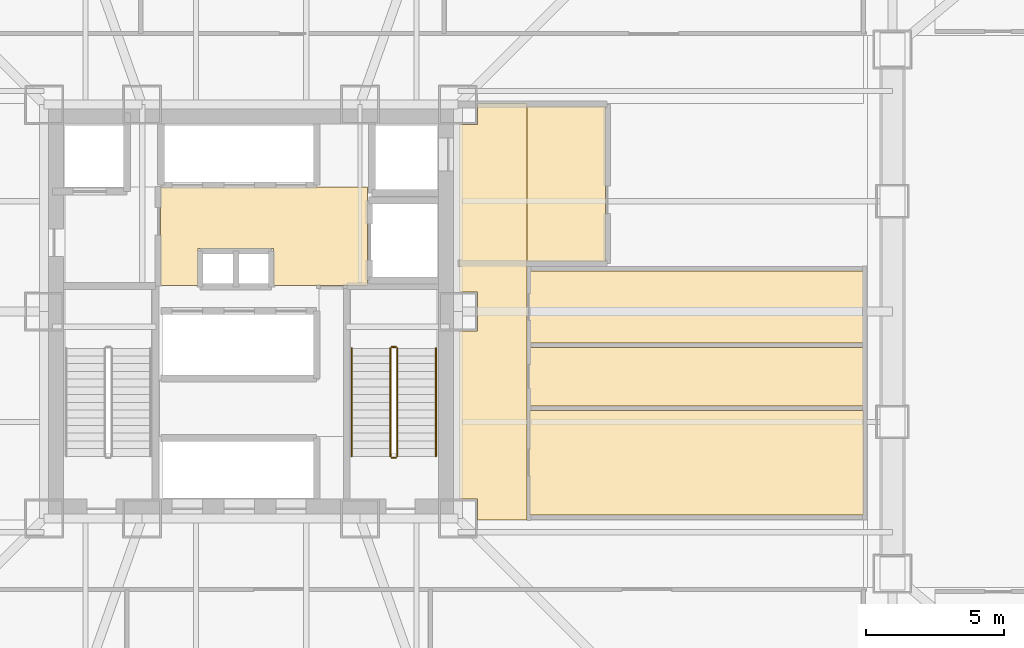
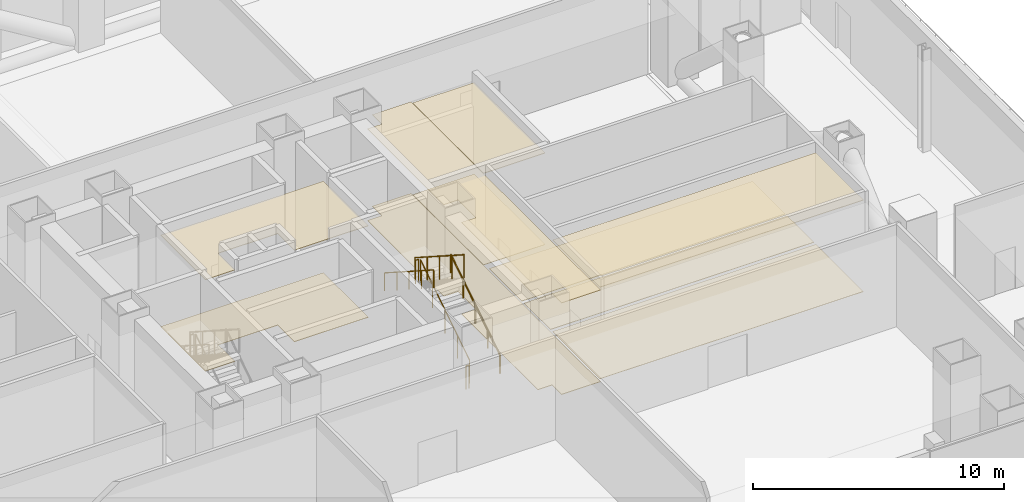
# One storey, part 20 of 21: 10 coverings, 6 railings.
"""IFC4 building model written with IfcOpenShell, lengths in metres."""

from ifc_helpers import new_model, si_unit, direction, frame, origin, origin_2d, place, context, subcontext, project, spatial, polyline, circle, outline, extrude, material, layer, layer_set, type_object, element, save


model = new_model("IFC4")

# Units and contexts
model_context = context("Model", 3, precision=1e-05, world=origin(), true_north=direction((0.0, 1.0)))
body_context = subcontext(model_context, "Body", "Model", "MODEL_VIEW")
ifc_project = project(units=[si_unit("LENGTHUNIT", "METRE"), si_unit("AREAUNIT", "SQUARE_METRE"), si_unit("VOLUMEUNIT", "CUBIC_METRE"), si_unit("PLANEANGLEUNIT", "RADIAN"), si_unit("MASSUNIT", "GRAM", prefix="KILO")], contexts=[model_context])

# Site, building, storey
site_placement = place(None, origin())
site = spatial("IfcSite", under=ifc_project, at=site_placement, CompositionType="ELEMENT")
building_placement = place(site_placement, origin())
building = spatial("IfcBuilding", under=site, at=building_placement, Name="Trevonay Congress Spire", CompositionType="ELEMENT")
storey_placement = place(building_placement, frame((0.0, 0.0, 21.60009765625)))
storey = spatial("IfcBuildingStorey", under=building, at=storey_placement, Name="L04", CompositionType="ELEMENT", Elevation=21.60009765625)

# Coverings
ifc_material_1 = material(Name="Acoustic Mineral Fibre Board", Category="gypsum")
ifc_layer_1 = layer(ifc_material_1, 0.02490234375, Name="Acoustic Mineral Fibre Board")
ifc_layer_set_1 = layer_set([ifc_layer_1], Name="Acoustic Mineral Fibre Board")
covering_type_1 = type_object("IfcCoveringType", Name="COV-CEIL-ACOUSTIC", PredefinedType="CEILING", material=ifc_layer_set_1)
covering_1_placement = place(storey_placement, frame((0.0, 0.0, 4.449951171875)))
element("IfcCovering", 1, at=covering_1_placement, inside=storey, type_object=covering_type_1, Name="L04 Central and High-Rise Passenger Lift Lobby acoustic suspended ceiling", PredefinedType="CEILING", context=body_context, shape_type="SweptSolid", body=[
    extrude(outline(polyline([(-3.280029296875, 0.949951171875), (-1.919921875, 0.949951171875), (-1.919921875, 2.280029296875), (0.820068359375, 2.280029296875), (0.820068359375, 0.949951171875), (4.219970703125, 0.949951171875), (4.219970703125, 4.52001953125), (-3.280029296875, 4.52001953125), (-3.280029296875, 0.949951171875)])), origin(), (0.0, 0.0, 1.0), 0.02490234375),
])
covering_2_placement = place(storey_placement, frame((0.0, 0.0, 4.449951171875)))
element("IfcCovering", 2, at=covering_2_placement, inside=storey, type_object=covering_type_1, Name="L04 L04 Grand Concourse East acoustic suspended ceiling", PredefinedType="CEILING", context=body_context, shape_type="SweptSolid", body=[
    extrude(outline(polyline([(10.0, -7.550048828125), (8.2099609375, -7.550048828125), (8.2099609375, -6.7900390625), (7.550048828125, -6.7900390625), (7.550048828125, -0.7099609375), (8.2099609375, -0.7099609375), (8.2099609375, 0.7099609375), (7.550048828125, 0.7099609375), (7.550048828125, 6.7900390625), (8.2099609375, 6.7900390625), (8.2099609375, 7.550048828125), (10.0, 7.550048828125), (10.0, -7.550048828125)])), origin(), (0.0, 0.0, 1.0), 0.02490234375),
])
covering_3_placement = place(storey_placement, frame((0.0, 0.0, 4.449951171875)))
element("IfcCovering", 3, at=covering_3_placement, inside=storey, type_object=covering_type_1, Name="L04 Firefighting Lift Lobby East acoustic suspended ceiling", PredefinedType="CEILING", context=body_context, shape_type="SweptSolid", body=[
    extrude(outline(polyline([(12.85009765625, 1.800048828125), (10.010009765625, 1.800048828125), (10.010009765625, 7.449951171875), (12.85009765625, 7.449951171875), (12.85009765625, 1.800048828125)])), origin(), (0.0, 0.0, 1.0), 0.02490234375),
])
covering_4_placement = place(storey_placement, frame((0.0, 0.0, 4.449951171875)))
element("IfcCovering", 4, at=covering_4_placement, inside=storey, type_object=covering_type_1, Name="L04 Podium Terrace Garden Lounge acoustic suspended ceiling", PredefinedType="CEILING", context=body_context, shape_type="SweptSolid", body=[
    extrude(outline(polyline([(10.080078125, -7.3701171875), (22.199951171875, -7.3701171875), (22.199951171875, -3.580078125), (10.080078125, -3.580078125), (10.080078125, -7.3701171875)])), origin(), (0.0, 0.0, 1.0), 0.02490234375),
])
ifc_material_2 = material(Name="Polished Granite Floor Tile", Category="masonry")
ifc_layer_2 = layer(ifc_material_2, 0.02001953125, Name="Polished Granite Floor Tile")
ifc_layer_set_2 = layer_set([ifc_layer_2], Name="Polished Granite Floor Tile")
covering_type_2 = type_object("IfcCoveringType", Name="COV-FLOOR-STONE", PredefinedType="FLOORING", material=ifc_layer_set_2)
covering_5_placement = place(storey_placement, origin())
element("IfcCovering", 5, at=covering_5_placement, inside=storey, type_object=covering_type_2, Name="L04 Central and High-Rise Passenger Lift Lobby floor finish", PredefinedType="FLOORING", context=body_context, shape_type="SweptSolid", body=[
    extrude(outline(polyline([(-3.280029296875, 0.949951171875), (-1.919921875, 0.949951171875), (-1.919921875, 2.280029296875), (0.820068359375, 2.280029296875), (0.820068359375, 0.949951171875), (4.219970703125, 0.949951171875), (4.219970703125, 4.52001953125), (-3.280029296875, 4.52001953125), (-3.280029296875, 0.949951171875)])), origin(), (0.0, 0.0, 1.0), 0.02001953125),
])
covering_6_placement = place(storey_placement, origin())
element("IfcCovering", 6, at=covering_6_placement, inside=storey, type_object=covering_type_2, Name="L04 L04 Grand Concourse East floor finish", PredefinedType="FLOORING", context=body_context, shape_type="SweptSolid", body=[
    extrude(outline(polyline([(10.0, -7.550048828125), (8.2099609375, -7.550048828125), (8.2099609375, -6.7900390625), (7.550048828125, -6.7900390625), (7.550048828125, -0.7099609375), (8.2099609375, -0.7099609375), (8.2099609375, 0.7099609375), (7.550048828125, 0.7099609375), (7.550048828125, 6.7900390625), (8.2099609375, 6.7900390625), (8.2099609375, 7.550048828125), (10.0, 7.550048828125), (10.0, -7.550048828125)])), origin(), (0.0, 0.0, 1.0), 0.02001953125),
])
covering_7_placement = place(storey_placement, origin())
element("IfcCovering", 7, at=covering_7_placement, inside=storey, type_object=covering_type_2, Name="L04 Firefighting Lift Lobby East floor finish", PredefinedType="FLOORING", context=body_context, shape_type="SweptSolid", body=[
    extrude(outline(polyline([(12.85009765625, 1.800048828125), (10.010009765625, 1.800048828125), (10.010009765625, 7.449951171875), (12.85009765625, 7.449951171875), (12.85009765625, 1.800048828125)])), origin(), (0.0, 0.0, 1.0), 0.02001953125),
])
covering_8_placement = place(storey_placement, origin())
element("IfcCovering", 8, at=covering_8_placement, inside=storey, type_object=covering_type_2, Name="L04 Female Restroom WC floor finish", PredefinedType="FLOORING", context=body_context, shape_type="SweptSolid", body=[
    extrude(outline(polyline([(10.080078125, -3.419921875), (22.199951171875, -3.419921875), (22.199951171875, -1.300048828125), (10.080078125, -1.300048828125), (10.080078125, -3.419921875)])), origin(), (0.0, 0.0, 1.0), 0.02001953125),
])
covering_9_placement = place(storey_placement, origin())
element("IfcCovering", 9, at=covering_9_placement, inside=storey, type_object=covering_type_2, Name="L04 Floor Supplies and Copy Room floor finish", PredefinedType="FLOORING", context=body_context, shape_type="SweptSolid", body=[
    extrude(outline(polyline([(10.080078125, -1.139892578125), (22.199951171875, -1.139892578125), (22.199951171875, 1.469970703125), (10.080078125, 1.469970703125), (10.080078125, -1.139892578125)])), origin(), (0.0, 0.0, 1.0), 0.02001953125),
])
ifc_material_3 = material(Name="Engineered Oak Flooring", Category="wood")
ifc_layer_3 = layer(ifc_material_3, 0.01806640625, Name="Engineered Oak Flooring")
ifc_layer_set_3 = layer_set([ifc_layer_3], Name="Engineered Oak Flooring")
covering_type_3 = type_object("IfcCoveringType", Name="COV-FLOOR-TIMBER", PredefinedType="FLOORING", material=ifc_layer_set_3)
covering_10_placement = place(storey_placement, origin())
element("IfcCovering", 10, at=covering_10_placement, inside=storey, type_object=covering_type_3, Name="L04 Podium Terrace Garden Lounge floor finish", PredefinedType="FLOORING", context=body_context, shape_type="SweptSolid", body=[
    extrude(outline(polyline([(10.080078125, -7.3701171875), (22.199951171875, -7.3701171875), (22.199951171875, -3.580078125), (10.080078125, -3.580078125), (10.080078125, -7.3701171875)])), origin(), (0.0, 0.0, 1.0), 0.017822265625),
])

# Railings
ifc_material_4 = material(Name="Pale Anodised Aluminium EN AW-6063-T6", Category="aluminium")
railing_type_1 = type_object("IfcRailingType", Name="RAL-STAIR-GUARD-110", PredefinedType="GUARDRAIL", material=ifc_material_4)
railing_1_placement = place(storey_placement, frame((5.300048828125, -5.25, 0.179931640625)))
element("IfcRailing", 11, at=railing_1_placement, inside=storey, type_object=railing_type_1, Name="L04 ST-2 stair guard 1", PredefinedType="GUARDRAIL", context=body_context, shape_type="SweptSolid", body=[
    extrude(circle(Radius=0.02392578125, at=origin_2d()), frame((0.0, 0.0, 1.1259765625), z_axis=(0.0, 0.841171666519, 0.540768182723), x_axis=(-1.0, 0.0, 0.0)), (0.0, 0.0, 1.0), 4.66015625),
    extrude(circle(Radius=0.02099609375, at=origin_2d()), origin(), (0.0, 0.0, 1.0), 1.101806640625),
    extrude(circle(Radius=0.02099609375, at=origin_2d()), frame((0.0, 0.97998046875, 0.6298828125)), (0.0, 0.0, 1.0), 1.101806640625),
    extrude(circle(Radius=0.02099609375, at=origin_2d()), frame((0.0, 1.9599609375, 1.260009765625)), (0.0, 0.0, 1.0), 1.101806640625),
    extrude(circle(Radius=0.02099609375, at=origin_2d()), frame((0.0, 2.93994140625, 1.89013671875)), (0.0, 0.0, 1.0), 1.101806640625),
    extrude(circle(Radius=0.02099609375, at=origin_2d()), frame((0.0, 3.919921875, 2.52001953125)), (0.0, 0.0, 1.0), 1.101806640625),
])
railing_2_placement = place(storey_placement, frame((5.25, -1.280029296875, 2.699951171875)))
element("IfcRailing", 12, at=railing_2_placement, inside=storey, type_object=railing_type_1, Name="L04 ST-2 stair guard 2", PredefinedType="GUARDRAIL", context=body_context, shape_type="SweptSolid", body=[
    extrude(circle(Radius=0.02392578125, at=origin_2d()), frame((0.0, 0.0, 1.1259765625), z_axis=(-1.0, 0.0, 0.0), x_axis=(0.0, -1.0, 0.0)), (0.0, 0.0, 1.0), 0.14990234375),
    extrude(circle(Radius=0.02099609375, at=origin_2d()), origin(), (0.0, 0.0, 1.0), 1.101806640625),
    extrude(circle(Radius=0.02099609375, at=origin_2d()), frame((-0.14990234375, 0.0, 0.0)), (0.0, 0.0, 1.0), 1.101806640625),
])
railing_3_placement = place(storey_placement, frame((5.050048828125, -1.330078125, 2.8798828125)))
element("IfcRailing", 13, at=railing_3_placement, inside=storey, type_object=railing_type_1, Name="L04 ST-2 stair guard 3", PredefinedType="GUARDRAIL", context=body_context, shape_type="SweptSolid", body=[
    extrude(circle(Radius=0.02392578125, at=origin_2d()), frame((0.0, 0.0, 1.1259765625), z_axis=(0.0, -0.841171666519, 0.540768182723), x_axis=(1.0, 0.0, 0.0)), (0.0, 0.0, 1.0), 4.66015625),
    extrude(circle(Radius=0.02099609375, at=origin_2d()), origin(), (0.0, 0.0, 1.0), 1.101806640625),
    extrude(circle(Radius=0.02099609375, at=origin_2d()), frame((0.0, -0.97998046875, 0.6298828125)), (0.0, 0.0, 1.0), 1.101806640625),
    extrude(circle(Radius=0.02099609375, at=origin_2d()), frame((0.0, -1.9599609375, 1.260009765625)), (0.0, 0.0, 1.0), 1.101806640625),
    extrude(circle(Radius=0.02099609375, at=origin_2d()), frame((0.0, -2.93994140625, 1.89013671875)), (0.0, 0.0, 1.0), 1.101806640625),
    extrude(circle(Radius=0.02099609375, at=origin_2d()), frame((0.0, -3.919921875, 2.52001953125)), (0.0, 0.0, 1.0), 1.101806640625),
])
railing_4_placement = place(storey_placement, frame((5.25, -5.300048828125, 0.0)))
element("IfcRailing", 14, at=railing_4_placement, inside=storey, type_object=railing_type_1, Name="L04 ST-2 stair guard 4", PredefinedType="GUARDRAIL", context=body_context, shape_type="SweptSolid", body=[
    extrude(circle(Radius=0.02392578125, at=origin_2d()), frame((0.0, 0.0, 1.1259765625), z_axis=(-1.0, 0.0, 0.0), x_axis=(0.0, -1.0, 0.0)), (0.0, 0.0, 1.0), 0.14990234375),
    extrude(circle(Radius=0.02099609375, at=origin_2d()), origin(), (0.0, 0.0, 1.0), 1.101806640625),
    extrude(circle(Radius=0.02099609375, at=origin_2d()), frame((-0.14990234375, 0.0, 0.0)), (0.0, 0.0, 1.0), 1.101806640625),
])
railing_type_2 = type_object("IfcRailingType", Name="RAL-STAIR-HANDRAIL", PredefinedType="HANDRAIL", material=ifc_material_4)
railing_5_placement = place(storey_placement, frame((6.699951171875, -5.25, 0.179931640625)))
element("IfcRailing", 15, at=railing_5_placement, inside=storey, type_object=railing_type_2, Name="L04 ST-2 stair handrail 1", PredefinedType="HANDRAIL", context=body_context, shape_type="SweptSolid", body=[
    extrude(circle(Radius=0.02392578125, at=origin_2d()), frame((0.0, 0.0, 0.8759765625), z_axis=(0.0, 0.841171666519, 0.540768182723), x_axis=(-1.0, 0.0, 0.0)), (0.0, 0.0, 1.0), 4.66015625),
    extrude(circle(Radius=0.02099609375, at=origin_2d()), origin(), (0.0, 0.0, 1.0), 0.851806640625),
    extrude(circle(Radius=0.02099609375, at=origin_2d()), frame((0.0, 0.97998046875, 0.6298828125)), (0.0, 0.0, 1.0), 0.851806640625),
    extrude(circle(Radius=0.02099609375, at=origin_2d()), frame((0.0, 1.9599609375, 1.260009765625)), (0.0, 0.0, 1.0), 0.851806640625),
    extrude(circle(Radius=0.02099609375, at=origin_2d()), frame((0.0, 2.93994140625, 1.89013671875)), (0.0, 0.0, 1.0), 0.851806640625),
    extrude(circle(Radius=0.02099609375, at=origin_2d()), frame((0.0, 3.919921875, 2.52001953125)), (0.0, 0.0, 1.0), 0.851806640625),
])
railing_6_placement = place(storey_placement, frame((3.64990234375, -1.330078125, 2.8798828125)))
element("IfcRailing", 16, at=railing_6_placement, inside=storey, type_object=railing_type_2, Name="L04 ST-2 stair handrail 2", PredefinedType="HANDRAIL", context=body_context, shape_type="SweptSolid", body=[
    extrude(circle(Radius=0.02392578125, at=origin_2d()), frame((0.0, 0.0, 0.8759765625), z_axis=(0.0, -0.841171666519, 0.540768182723), x_axis=(1.0, 0.0, 0.0)), (0.0, 0.0, 1.0), 4.66015625),
    extrude(circle(Radius=0.02099609375, at=origin_2d()), origin(), (0.0, 0.0, 1.0), 0.851806640625),
    extrude(circle(Radius=0.02099609375, at=origin_2d()), frame((0.0, -0.97998046875, 0.6298828125)), (0.0, 0.0, 1.0), 0.851806640625),
    extrude(circle(Radius=0.02099609375, at=origin_2d()), frame((0.0, -1.9599609375, 1.260009765625)), (0.0, 0.0, 1.0), 0.851806640625),
    extrude(circle(Radius=0.02099609375, at=origin_2d()), frame((0.0, -2.93994140625, 1.89013671875)), (0.0, 0.0, 1.0), 0.851806640625),
    extrude(circle(Radius=0.02099609375, at=origin_2d()), frame((0.0, -3.919921875, 2.52001953125)), (0.0, 0.0, 1.0), 0.851806640625),
])

save(model, "model.ifc")
